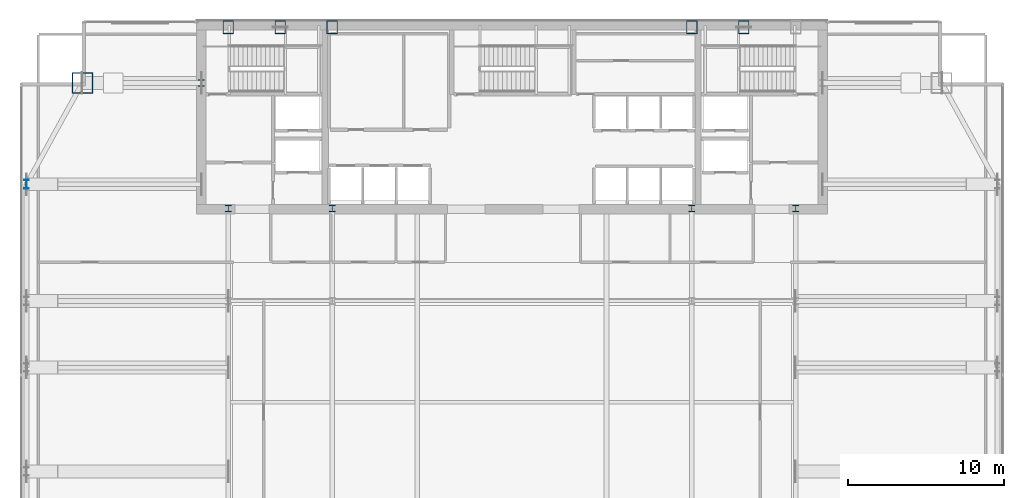
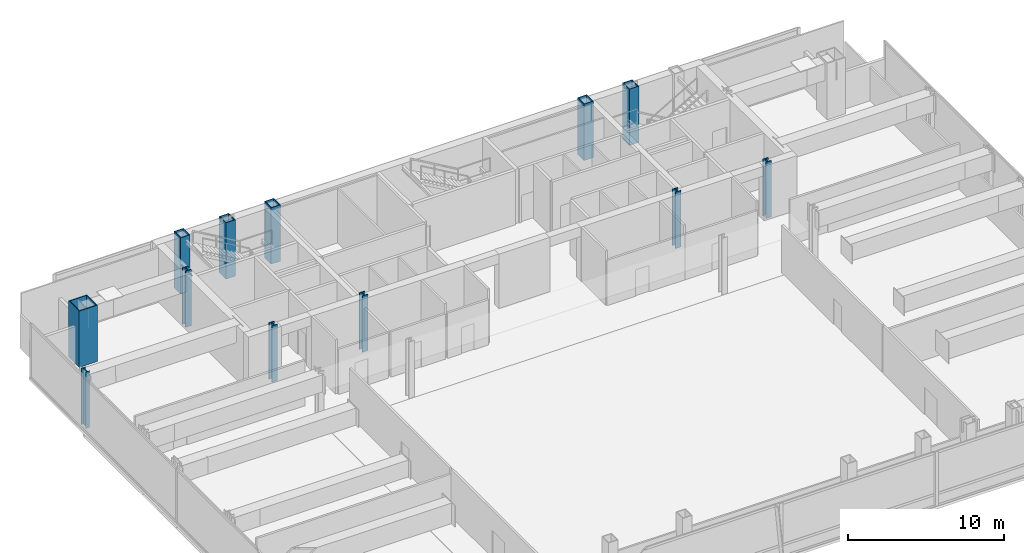
# One storey, part 3 of 25: 12 columns.
"""IFC4 building model written with IfcOpenShell, lengths in metres."""

from ifc_helpers import new_model, si_unit, direction, frame, origin, origin_2d, place, context, subcontext, project, spatial, hollow_rectangle, i_section, extrude, material, material_profile, profile_set, type_object, element, save


model = new_model("IFC4")

# Units and contexts
model_context = context("Model", 3, precision=1e-05, world=origin(), true_north=direction((0.0, 1.0)))
body_context = subcontext(model_context, "Body", "Model", "MODEL_VIEW")
ifc_project = project(units=[si_unit("LENGTHUNIT", "METRE"), si_unit("AREAUNIT", "SQUARE_METRE"), si_unit("VOLUMEUNIT", "CUBIC_METRE"), si_unit("PLANEANGLEUNIT", "RADIAN"), si_unit("MASSUNIT", "GRAM", prefix="KILO")], contexts=[model_context])

# Site, building, storey
site_placement = place(None, origin())
site = spatial("IfcSite", under=ifc_project, at=site_placement, CompositionType="ELEMENT")
building_placement = place(site_placement, origin())
building = spatial("IfcBuilding", under=site, at=building_placement, Name="Khoronbel Lancet Exchange", CompositionType="ELEMENT")
storey_placement = place(building_placement, frame((0.0, 0.0, 184.199951171875)))
storey = spatial("IfcBuildingStorey", under=building, at=storey_placement, Name="L46", CompositionType="ELEMENT", Elevation=184.199951171875)

# Columns
ifc_material_1 = material(Name="Steel S460", Category="steel")
ifc_material_profile_1 = material_profile(ifc_material_1, hollow_rectangle(XDim=0.699951171875, YDim=0.85009765625, WallThickness=0.050048828125, at=origin_2d()), Name="BOX 850x700x50")
ifc_profile_set_1 = profile_set([ifc_material_profile_1], Name="Steel S460")
column_type_1 = type_object("IfcColumnType", Name="COL-EC2", PredefinedType="COLUMN", material=ifc_profile_set_1)
for number, where, z_axis, x_axis, name in (
    (1, (18.22509765625, 53.280029296875, 0.0), (0.0, 0.0, 1.0), (1.0, 0.0, 0.0), "Structural column NC-W1 L46"),
    (2, (21.5625, 53.280029296875, 0.0), (0.0, 0.0, 1.0), (1.0, 0.0, 0.0), "Structural column NC-WM L46"),
    (3, (24.89990234375, 53.280029296875, 0.0), (0.0, 0.0, 1.0), (1.0, 0.0, 0.0), "Structural column NC-W2 L46"),
    (4, (48.0, 53.280029296875, 0.0), (0.0, 0.0, 1.0), (1.0, 0.0, 0.0), "Structural column NC-E1 L46"),
    (5, (51.33740234375, 53.280029296875, 0.0), (0.0, 0.0, 1.0), (1.0, 0.0, 0.0), "Structural column NC-EM L46"),
):
    element("IfcColumn", number, at=place(storey_placement, frame(where, z_axis=z_axis, x_axis=x_axis)), inside=storey, type_object=column_type_1, Name=name, PredefinedType="COLUMN", context=body_context, shape_type="SweptSolid", body=[
        extrude(hollow_rectangle(XDim=0.699951171875, YDim=0.85009765625, WallThickness=0.050048828125, at=origin_2d()), origin(), (0.0, 0.0, 1.0), 4.400146484375),
    ])
ifc_material_profile_2 = material_profile(ifc_material_1, i_section(OverallWidth=0.416015625, OverallDepth=0.446044921875, WebThickness=0.0390625, FlangeThickness=0.062744140625, at=origin_2d()), Name="HD 400x509")
ifc_profile_set_2 = profile_set([ifc_material_profile_2], Name="Steel S460")
column_type_2 = type_object("IfcColumnType", Name="COL-IC2", PredefinedType="COLUMN", material=ifc_profile_set_2)
for number, where, z_axis, x_axis, name in (
    (6, (16.5, 49.699951171875, 0.0), (0.0, 0.0, 1.0), (1.0, 0.0, 0.0), "Core-flank plumb transfer column CFW L46"),
    (7, (18.22509765625, 41.64990234375, 0.0), (0.0, 0.0, 1.0), (1.0, 0.0, 0.0), "Core-embedded steel column CTC1 L46"),
    (8, (24.89990234375, 41.64990234375, 0.0), (0.0, 0.0, 1.0), (1.0, 0.0, 0.0), "Core-embedded steel column CTC2 L46"),
    (9, (48.0, 41.64990234375, 0.0), (0.0, 0.0, 1.0), (1.0, 0.0, 0.0), "Core-embedded steel column CTC3 L46"),
    (10, (54.675048828125, 41.64990234375, 0.0), (0.0, 0.0, 1.0), (1.0, 0.0, 0.0), "Core-embedded steel column CTC4 L46"),
):
    element("IfcColumn", number, at=place(storey_placement, frame(where, z_axis=z_axis, x_axis=x_axis)), inside=storey, type_object=column_type_2, Name=name, PredefinedType="COLUMN", context=body_context, shape_type="SweptSolid", body=[
        extrude(i_section(OverallWidth=0.416015625, OverallDepth=0.446044921875, WebThickness=0.0390625, FlangeThickness=0.062744140625, at=origin_2d()), origin(), (0.0, 0.0, 1.0), 4.400146484375),
    ])
ifc_material_2 = material(Name="Steel S355", Category="steel")
ifc_material_profile_3 = material_profile(ifc_material_2, i_section(OverallWidth=0.300048828125, OverallDepth=0.550048828125, WebThickness=0.014892578125, FlangeThickness=0.029052734375, at=origin_2d()), Name="HEB 550")
ifc_profile_set_3 = profile_set([ifc_material_profile_3], Name="Steel S355")
column_type_3 = type_object("IfcColumnType", Name="COL-LC1", PredefinedType="COLUMN", material=ifc_profile_set_3)
column_1_placement = place(storey_placement, frame((5.27001953125, 43.199951171875, 0.0), z_axis=(0.0, 0.0, 1.0), x_axis=(1.0, 0.0, 0.0)))
element("IfcColumn", 11, at=column_1_placement, inside=storey, type_object=column_type_3, Name="Structural column WC-4 L46", PredefinedType="COLUMN", context=body_context, shape_type="SweptSolid", body=[
    extrude(i_section(OverallWidth=0.300048828125, OverallDepth=0.550048828125, WebThickness=0.014892578125, FlangeThickness=0.029052734375, at=origin_2d()), origin(), (0.0, 0.0, 1.0), 4.400146484375),
])
ifc_material_profile_4 = material_profile(ifc_material_1, hollow_rectangle(XDim=1.35009765625, YDim=1.35009765625, WallThickness=0.06494140625, at=origin_2d()), Name="BOX 1350x1350x65")
ifc_profile_set_4 = profile_set([ifc_material_profile_4], Name="Steel S460")
column_type_4 = type_object("IfcColumnType", Name="COL-MC4", PredefinedType="COLUMN", material=ifc_profile_set_4)
column_2_placement = place(storey_placement, frame((8.85009765625, 49.699951171875, 0.0), z_axis=(0.0, 0.0, 1.0), x_axis=(1.0, 0.0, 0.0)))
element("IfcColumn", 12, at=column_2_placement, inside=storey, type_object=column_type_4, Name="Structural column MC-NW L46", PredefinedType="COLUMN", context=body_context, shape_type="SweptSolid", body=[
    extrude(hollow_rectangle(XDim=1.35009765625, YDim=1.35009765625, WallThickness=0.06494140625, at=origin_2d()), origin(), (0.0, 0.0, 1.0), 4.400146484375),
])

save(model, "model.ifc")
